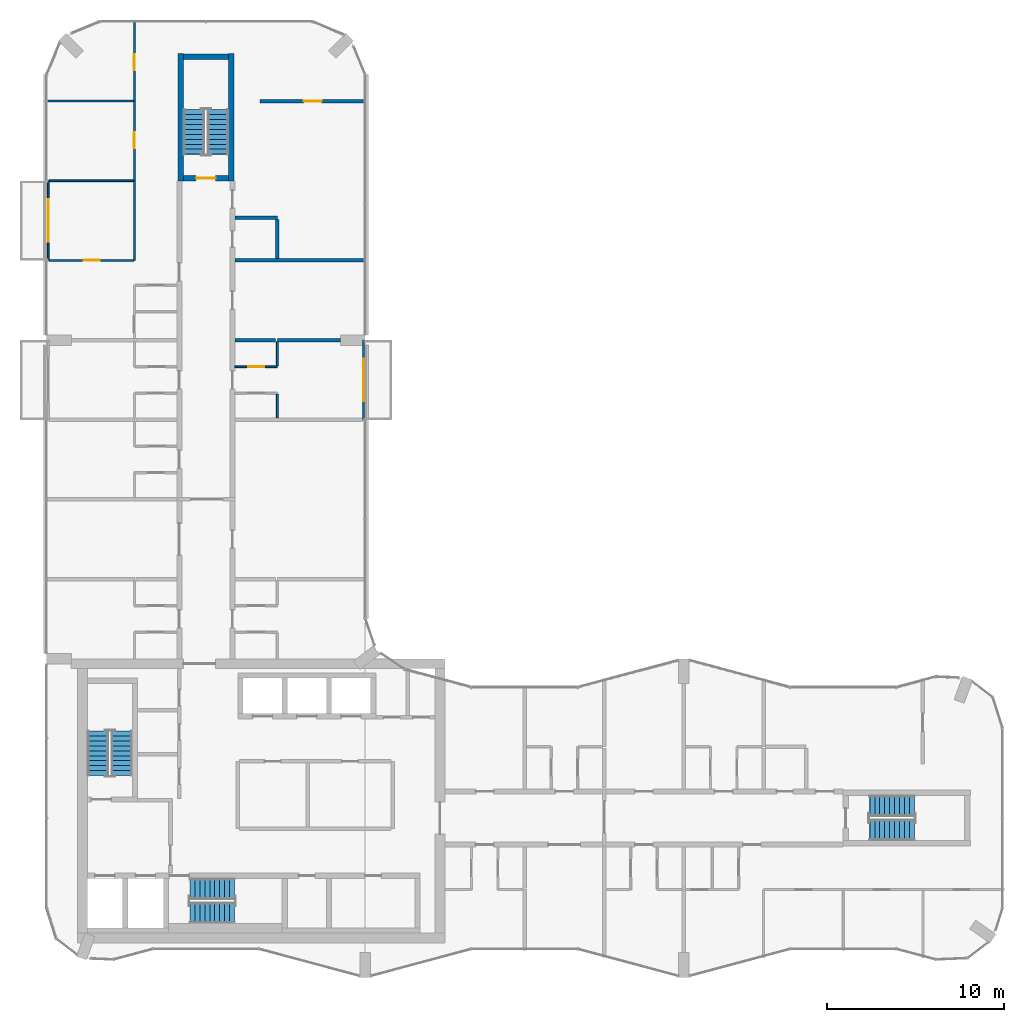
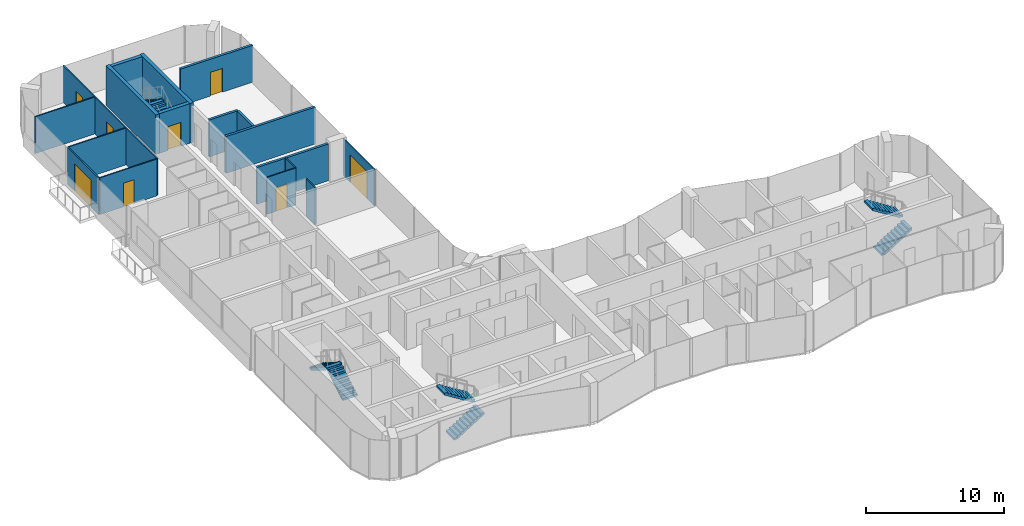
# One storey, part 13 of 15: 19 walls, 8 doors, 8 stair flights, 8 openings, 4 elements without a shape of their own.
"""IFC4 building model written with IfcOpenShell, lengths in metres."""

from ifc_helpers import new_model, si_unit, direction, frame, frame_2d, origin, place, context, subcontext, project, spatial, polyline, rectangle, outline, extrude, material, layer, layer_set, type_object, element, fill, aggregate, save


model = new_model("IFC4")

# Units and contexts
model_context = context("Model", 3, precision=1e-05, world=origin(), true_north=direction((0.0, 1.0)))
body_context = subcontext(model_context, "Body", "Model", "MODEL_VIEW")
ifc_project = project(units=[si_unit("LENGTHUNIT", "METRE"), si_unit("AREAUNIT", "SQUARE_METRE"), si_unit("VOLUMEUNIT", "CUBIC_METRE"), si_unit("PLANEANGLEUNIT", "RADIAN"), si_unit("MASSUNIT", "GRAM", prefix="KILO")], contexts=[model_context])

# Site, building, storey
site_placement = place(None, origin())
site = spatial("IfcSite", under=ifc_project, at=site_placement, CompositionType="ELEMENT")
building_placement = place(site_placement, origin())
building = spatial("IfcBuilding", under=site, at=building_placement, Name="Plateau Cross Towers", CompositionType="ELEMENT")
storey_placement = place(building_placement, frame((0.0, 0.0, 197.89990234375)))
storey = spatial("IfcBuildingStorey", under=building, at=storey_placement, Name="L51", CompositionType="ELEMENT", Elevation=197.89990234375)

# Wall, opening, door
ifc_material_1 = material(Name="Aluminium framed glazing", Category="aluminium")
ifc_layer_1 = layer(ifc_material_1, 0.10009765625)
ifc_layer_set_1 = layer_set([ifc_layer_1], Name="Aluminium framed glazing")
wall_type_1 = type_object("IfcWallType", Name="Balcony screen wall 100", PredefinedType="STANDARD", material=ifc_layer_set_1)
wall_1_placement = place(storey_placement, frame((0.10009765625, 40.5, 0.0), z_axis=(0.0, 0.0, 1.0), x_axis=(0.0, 1.0, 0.0)))
wall_1 = element("IfcWall", 1, at=wall_1_placement, inside=storey, type_object=wall_type_1, Name="Balcony screen wall A-BAL-L51-02", PredefinedType="STANDARD", context=body_context, shape_type="SweptSolid", body=[
    extrude(rectangle(XDim=4.5, YDim=0.10009765625, at=frame_2d((2.25, 0.0))), origin(), (0.0, 0.0, 1.0), 3.25),
])
opening_1_placement = place(wall_1_placement, frame((1.050048828125, 0.0, 0.0)))
opening_1 = element("IfcOpeningElement", 2, at=opening_1_placement, cuts=wall_1, Name="Opening D-B24", PredefinedType="OPENING", context=body_context, shape_type="SweptSolid", body=[
    extrude(rectangle(XDim=2.39990234375, YDim=2.39990234375, at=frame_2d((1.199951171875, 1.199951171875))), frame((0.0, 0.06005859375, 0.0), z_axis=(0.0, -1.0, 0.0), x_axis=(1.0, 0.0, 0.0)), (0.0, 0.0, 1.0), 0.1201171875),
])
ifc_material_2 = material(Name="Aluminium frame, double glazing", Category="aluminium")
door_type_1 = type_object("IfcDoorType", Name="Balcony sliding door 2400", OperationType="NOTDEFINED", PredefinedType="DOOR", material=ifc_material_2)
door_1_placement = place(opening_1_placement, origin())
door_1 = element("IfcDoor", 3, at=door_1_placement, inside=storey, type_object=door_type_1, Name="Balcony door A-BAL-L51-02", OperationType="SINGLE_SWING_LEFT", OverallHeight=2.39990234375, OverallWidth=2.39990234375, PredefinedType="DOOR", context=body_context, shape_type="SweptSolid", body=[
    extrude(rectangle(XDim=2.39990234375, YDim=2.39990234375, at=frame_2d((1.199951171875, 1.199951171875))), frame((0.0, 0.02490234375, 0.0), z_axis=(0.0, -1.0, 0.0), x_axis=(1.0, 0.0, 0.0)), (0.0, 0.0, 1.0), 0.050048828125),
])
fill(opening_1, door_1)

wall_2_placement = place(storey_placement, frame((17.89990234375, 36.0, 0.0), z_axis=(0.0, 0.0, 1.0), x_axis=(0.0, -1.0, 0.0)))
wall_2 = element("IfcWall", 4, at=wall_2_placement, inside=storey, type_object=wall_type_1, Name="Balcony screen wall A-BAL-L51-03", PredefinedType="STANDARD", context=body_context, shape_type="SweptSolid", body=[
    extrude(rectangle(XDim=4.5, YDim=0.10009765625, at=frame_2d((2.25, 0.0))), origin(), (0.0, 0.0, 1.0), 3.25),
])
opening_2_placement = place(wall_2_placement, frame((1.050048828125, 0.0, 0.0)))
opening_2 = element("IfcOpeningElement", 5, at=opening_2_placement, cuts=wall_2, Name="Opening D-B24", PredefinedType="OPENING", context=body_context, shape_type="SweptSolid", body=[
    extrude(rectangle(XDim=2.39990234375, YDim=2.39990234375, at=frame_2d((1.199951171875, 1.199951171875))), frame((0.0, 0.06005859375, 0.0), z_axis=(0.0, -1.0, 0.0), x_axis=(1.0, 0.0, 0.0)), (0.0, 0.0, 1.0), 0.1201171875),
])
door_2_placement = place(opening_2_placement, origin())
door_2 = element("IfcDoor", 6, at=door_2_placement, inside=storey, type_object=door_type_1, Name="Balcony door A-BAL-L51-03", OperationType="SINGLE_SWING_LEFT", OverallHeight=2.39990234375, OverallWidth=2.39990234375, PredefinedType="DOOR", context=body_context, shape_type="SweptSolid", body=[
    extrude(rectangle(XDim=2.39990234375, YDim=2.39990234375, at=frame_2d((1.199951171875, 1.199951171875))), frame((0.0, 0.02490234375, 0.0), z_axis=(0.0, -1.0, 0.0), x_axis=(1.0, 0.0, 0.0)), (0.0, 0.0, 1.0), 0.050048828125),
])
fill(opening_2, door_2)

ifc_material_3 = material(Name="Gypsum board on steel studs", Category="steel")
ifc_layer_2 = layer(ifc_material_3, 0.10009765625)
ifc_layer_set_2 = layer_set([ifc_layer_2], Name="Gypsum board on steel studs")
wall_type_2 = type_object("IfcWallType", Name="Flat partition 100", PredefinedType="PARTITIONING", material=ifc_layer_set_2)
wall_3_placement = place(storey_placement, frame((10.637451171875, 34.5, 0.0), z_axis=(0.0, 0.0, 1.0), x_axis=(1.0, 0.0, 0.0)))
wall_3 = element("IfcWall", 7, at=wall_3_placement, inside=storey, type_object=wall_type_2, Name="Partition wall", PredefinedType="PARTITIONING", context=body_context, shape_type="SweptSolid", body=[
    extrude(rectangle(XDim=2.400146484375, YDim=0.10009765625, at=frame_2d((1.2001953125, 0.0))), origin(), (0.0, 0.0, 1.0), 3.25),
])
opening_3_placement = place(wall_3_placement, frame((0.75, 0.0, 0.0)))
opening_3 = element("IfcOpeningElement", 8, at=opening_3_placement, cuts=wall_3, Name="Opening 51-53", PredefinedType="OPENING", context=body_context, shape_type="SweptSolid", body=[
    extrude(rectangle(XDim=0.89990234375, YDim=2.10009765625, at=frame_2d((0.449951171875, 1.050048828125))), frame((0.0, 0.06005859375, 0.0), z_axis=(0.0, -1.0, 0.0), x_axis=(1.0, 0.0, 0.0)), (0.0, 0.0, 1.0), 0.1201171875),
])
ifc_material_4 = material(Name="Timber leaf", Category="wood")
door_type_2 = type_object("IfcDoorType", Name="Flat room door 900", OperationType="NOTDEFINED", PredefinedType="DOOR", material=ifc_material_4)
door_3_placement = place(opening_3_placement, origin())
door_3 = element("IfcDoor", 9, at=door_3_placement, inside=storey, type_object=door_type_2, Name="Door 51-53", OperationType="SINGLE_SWING_LEFT", OverallHeight=2.10009765625, OverallWidth=0.89990234375, PredefinedType="DOOR", context=body_context, shape_type="SweptSolid", body=[
    extrude(rectangle(XDim=0.89990234375, YDim=2.10009765625, at=frame_2d((0.449951171875, 1.050048828125))), frame((0.0, 0.02490234375, 0.0), z_axis=(0.0, -1.0, 0.0), x_axis=(1.0, 0.0, 0.0)), (0.0, 0.0, 1.0), 0.050048828125),
])
fill(opening_3, door_3)

wall_4_placement = place(storey_placement, frame((0.14990234375, 40.5, 0.0), z_axis=(0.0, 0.0, 1.0), x_axis=(1.0, 0.0, 0.0)))
wall_4 = element("IfcWall", 10, at=wall_4_placement, inside=storey, type_object=wall_type_2, Name="Partition wall", PredefinedType="PARTITIONING", context=body_context, shape_type="SweptSolid", body=[
    extrude(rectangle(XDim=4.7626953125, YDim=0.10009765625, at=frame_2d((2.38134765625, 0.0))), origin(), (0.0, 0.0, 1.0), 3.25),
])
opening_4_placement = place(wall_4_placement, frame((1.949951171875, 0.0, 0.0)))
opening_4 = element("IfcOpeningElement", 11, at=opening_4_placement, cuts=wall_4, Name="Opening 51-47", PredefinedType="OPENING", context=body_context, shape_type="SweptSolid", body=[
    extrude(rectangle(XDim=0.89990234375, YDim=2.10009765625, at=frame_2d((0.449951171875, 1.050048828125))), frame((0.0, 0.06005859375, 0.0), z_axis=(0.0, -1.0, 0.0), x_axis=(1.0, 0.0, 0.0)), (0.0, 0.0, 1.0), 0.1201171875),
])
door_4_placement = place(opening_4_placement, origin())
door_4 = element("IfcDoor", 12, at=door_4_placement, inside=storey, type_object=door_type_2, Name="Door 51-47", OperationType="SINGLE_SWING_RIGHT", OverallHeight=2.10009765625, OverallWidth=0.89990234375, PredefinedType="DOOR", context=body_context, shape_type="SweptSolid", body=[
    extrude(rectangle(XDim=0.89990234375, YDim=2.10009765625, at=frame_2d((0.449951171875, 1.050048828125))), frame((0.0, 0.02490234375, 0.0), z_axis=(0.0, -1.0, 0.0), x_axis=(1.0, 0.0, 0.0)), (0.0, 0.0, 1.0), 0.050048828125),
])
fill(opening_4, door_4)

# Walls
wall_5_placement = place(storey_placement, frame((4.91259765625, 45.0, 0.0), z_axis=(0.0, 0.0, 1.0), x_axis=(-1.0, 0.0, 0.0)))
element("IfcWall", 13, at=wall_5_placement, inside=storey, type_object=wall_type_2, Name="Partition wall", PredefinedType="PARTITIONING", context=body_context, shape_type="SweptSolid", body=[
    extrude(rectangle(XDim=4.7626953125, YDim=0.10009765625, at=frame_2d((2.38134765625, 0.0))), origin(), (0.0, 0.0, 1.0), 3.25),
])
wall_6_placement = place(storey_placement, frame((4.91259765625, 49.5, 0.0), z_axis=(0.0, 0.0, 1.0), x_axis=(-1.0, 0.0, 0.0)))
element("IfcWall", 14, at=wall_6_placement, inside=storey, type_object=wall_type_2, Name="Partition wall", PredefinedType="PARTITIONING", context=body_context, shape_type="SweptSolid", body=[
    extrude(rectangle(XDim=4.99267578125, YDim=0.10009765625, at=frame_2d((2.496337890625, 0.0))), origin(), (0.0, 0.0, 1.0), 3.25),
])

# Wall, openings, doors
wall_7_placement = place(storey_placement, frame((4.96240234375, 40.5, 0.0), z_axis=(0.0, 0.0, 1.0), x_axis=(0.0, 1.0, 0.0)))
wall_7 = element("IfcWall", 15, at=wall_7_placement, inside=storey, type_object=wall_type_2, Name="Partition wall", PredefinedType="PARTITIONING", context=body_context, shape_type="SweptSolid", body=[
    extrude(rectangle(XDim=13.580078125, YDim=0.10009765625, at=frame_2d((6.7900390625, 0.0))), origin(), (0.0, 0.0, 1.0), 3.25),
])
opening_5_placement = place(wall_7_placement, frame((6.35009765625, 0.0, 0.0)))
opening_5 = element("IfcOpeningElement", 16, at=opening_5_placement, cuts=wall_7, Name="Opening 51-48", PredefinedType="OPENING", context=body_context, shape_type="SweptSolid", body=[
    extrude(rectangle(XDim=0.89990234375, YDim=2.10009765625, at=frame_2d((0.449951171875, 1.050048828125))), frame((0.0, 0.06005859375, 0.0), z_axis=(0.0, -1.0, 0.0), x_axis=(1.0, 0.0, 0.0)), (0.0, 0.0, 1.0), 0.1201171875),
])
opening_6_placement = place(wall_7_placement, frame((10.75, 0.0, 0.0)))
opening_6 = element("IfcOpeningElement", 17, at=opening_6_placement, cuts=wall_7, Name="Opening 51-49", PredefinedType="OPENING", context=body_context, shape_type="SweptSolid", body=[
    extrude(rectangle(XDim=0.89990234375, YDim=2.10009765625, at=frame_2d((0.449951171875, 1.050048828125))), frame((0.0, 0.06005859375, 0.0), z_axis=(0.0, -1.0, 0.0), x_axis=(1.0, 0.0, 0.0)), (0.0, 0.0, 1.0), 0.1201171875),
])
door_5_placement = place(opening_5_placement, origin())
door_5 = element("IfcDoor", 18, at=door_5_placement, inside=storey, type_object=door_type_2, Name="Door 51-48", OperationType="SINGLE_SWING_RIGHT", OverallHeight=2.10009765625, OverallWidth=0.89990234375, PredefinedType="DOOR", context=body_context, shape_type="SweptSolid", body=[
    extrude(rectangle(XDim=0.89990234375, YDim=2.10009765625, at=frame_2d((0.449951171875, 1.050048828125))), frame((0.0, 0.02490234375, 0.0), z_axis=(0.0, -1.0, 0.0), x_axis=(1.0, 0.0, 0.0)), (0.0, 0.0, 1.0), 0.050048828125),
])
fill(opening_5, door_5)
door_6_placement = place(opening_6_placement, origin())
door_6 = element("IfcDoor", 19, at=door_6_placement, inside=storey, type_object=door_type_2, Name="Door 51-49", OperationType="SINGLE_SWING_RIGHT", OverallHeight=2.10009765625, OverallWidth=0.89990234375, PredefinedType="DOOR", context=body_context, shape_type="SweptSolid", body=[
    extrude(rectangle(XDim=0.89990234375, YDim=2.10009765625, at=frame_2d((0.449951171875, 1.050048828125))), frame((0.0, 0.02490234375, 0.0), z_axis=(0.0, -1.0, 0.0), x_axis=(1.0, 0.0, 0.0)), (0.0, 0.0, 1.0), 0.050048828125),
])
fill(opening_6, door_6)

# Walls
for number, where, z_axis, x_axis, name in (
    (20, (13.03759765625, 31.60009765625, 0.0), (0.0, 0.0, 1.0), (0.0, 1.0, 0.0), "Partition wall"),
    (21, (13.03759765625, 34.550048828125, 0.0), (0.0, 0.0, 1.0), (0.0, 1.0, 0.0), "Partition wall"),
):
    element("IfcWall", number, at=place(storey_placement, frame(where, z_axis=z_axis, x_axis=x_axis)), inside=storey, type_object=wall_type_2, Name=name, PredefinedType="PARTITIONING", context=body_context, shape_type="SweptSolid", body=[
        extrude(rectangle(XDim=1.349853515625, YDim=0.10009765625, at=frame_2d((0.6748046875, 0.0))), origin(), (0.0, 0.0, 1.0), 3.25),
    ])
ifc_material_5 = material(Name="Gypsum board on steel studs, two layers each side", Category="steel")
ifc_layer_3 = layer(ifc_material_5, 0.199951171875)
ifc_layer_set_3 = layer_set([ifc_layer_3], Name="Gypsum board on steel studs, two layers each side")
wall_type_3 = type_object("IfcWallType", Name="Flat party wall 200", PredefinedType="PARTITIONING", material=ifc_layer_set_3)
wall_8_placement = place(storey_placement, frame((12.9375, 36.0, 0.0), z_axis=(0.0, 0.0, 1.0), x_axis=(-1.0, 0.0, 0.0)))
element("IfcWall", 22, at=wall_8_placement, inside=storey, type_object=wall_type_3, Name="Party wall", PredefinedType="PARTITIONING", context=body_context, shape_type="SweptSolid", body=[
    extrude(rectangle(XDim=2.300048828125, YDim=0.199951171875, at=frame_2d((1.14990234375, 0.0))), origin(), (0.0, 0.0, 1.0), 3.25),
])
wall_9_placement = place(storey_placement, frame((13.03759765625, 36.0, 0.0), z_axis=(0.0, 0.0, 1.0), x_axis=(1.0, 0.0, 0.0)))
element("IfcWall", 23, at=wall_9_placement, inside=storey, type_object=wall_type_3, Name="Party wall", PredefinedType="PARTITIONING", context=body_context, shape_type="SweptSolid", body=[
    extrude(rectangle(XDim=3.5625, YDim=0.199951171875, at=frame_2d((1.78125, 0.0))), origin(), (0.0, 0.0, 1.0), 3.25),
])
wall_10_placement = place(storey_placement, frame((18.080078125, 40.5, 0.0), z_axis=(0.0, 0.0, 1.0), x_axis=(-1.0, 0.0, 0.0)))
element("IfcWall", 24, at=wall_10_placement, inside=storey, type_object=wall_type_3, Name="Party wall", PredefinedType="PARTITIONING", context=body_context, shape_type="SweptSolid", body=[
    extrude(rectangle(XDim=7.442626953125, YDim=0.199951171875, at=frame_2d((3.72119140625, 0.0))), origin(), (0.0, 0.0, 1.0), 3.25),
])
wall_11_placement = place(storey_placement, frame((13.03759765625, 42.89990234375, 0.0), z_axis=(0.0, 0.0, 1.0), x_axis=(-1.0, 0.0, 0.0)))
element("IfcWall", 25, at=wall_11_placement, inside=storey, type_object=wall_type_3, Name="Party wall", PredefinedType="PARTITIONING", context=body_context, shape_type="SweptSolid", body=[
    extrude(rectangle(XDim=2.400146484375, YDim=0.199951171875, at=frame_2d((1.2001953125, 0.0))), origin(), (0.0, 0.0, 1.0), 3.25),
])

# Wall, opening, door
wall_12_placement = place(storey_placement, frame((18.080078125, 49.5, 0.0), z_axis=(0.0, 0.0, 1.0), x_axis=(-1.0, 0.0, 0.0)))
wall_12 = element("IfcWall", 26, at=wall_12_placement, inside=storey, type_object=wall_type_3, Name="Party wall", PredefinedType="PARTITIONING", context=body_context, shape_type="SweptSolid", body=[
    extrude(rectangle(XDim=6.030029296875, YDim=0.199951171875, at=frame_2d((3.01513671875, 0.0))), origin(), (0.0, 0.0, 1.0), 3.25),
])
opening_7_placement = place(wall_12_placement, frame((2.550048828125, 0.0, 0.0)))
opening_7 = element("IfcOpeningElement", 27, at=opening_7_placement, cuts=wall_12, Name="Opening 51-25", PredefinedType="OPENING", context=body_context, shape_type="SweptSolid", body=[
    extrude(rectangle(XDim=1.0, YDim=2.10009765625, at=frame_2d((0.5, 1.050048828125))), frame((0.0, 0.10986328125, 0.0), z_axis=(0.0, -1.0, 0.0), x_axis=(1.0, 0.0, 0.0)), (0.0, 0.0, 1.0), 0.219970703125),
])
ifc_material_6 = material(Name="Timber, fire-resisting leaf", Category="wood")
door_type_3 = type_object("IfcDoorType", Name="Flat entrance door 1000", OperationType="NOTDEFINED", PredefinedType="DOOR", material=ifc_material_6)
door_7_placement = place(opening_7_placement, origin())
door_7 = element("IfcDoor", 28, at=door_7_placement, inside=storey, type_object=door_type_3, Name="Door 51-25", OperationType="SINGLE_SWING_RIGHT", OverallHeight=2.10009765625, OverallWidth=1.0, PredefinedType="DOOR", context=body_context, shape_type="SweptSolid", body=[
    extrude(rectangle(XDim=1.0, YDim=2.10009765625, at=frame_2d((0.5, 1.050048828125))), frame((0.0, 0.02490234375, 0.0), z_axis=(0.0, -1.0, 0.0), x_axis=(1.0, 0.0, 0.0)), (0.0, 0.0, 1.0), 0.050048828125),
])
fill(opening_7, door_7)

# Wall
wall_13_placement = place(storey_placement, frame((13.03759765625, 40.60009765625, 0.0), z_axis=(0.0, 0.0, 1.0), x_axis=(0.0, 1.0, 0.0)))
element("IfcWall", 29, at=wall_13_placement, inside=storey, type_object=wall_type_3, Name="Party wall", PredefinedType="PARTITIONING", context=body_context, shape_type="SweptSolid", body=[
    extrude(rectangle(XDim=2.199951171875, YDim=0.199951171875, at=frame_2d((1.10009765625, 0.0))), origin(), (0.0, 0.0, 1.0), 3.25),
])

# Wall, opening, door
ifc_material_7 = material(Name="Concrete C60/75", Category="concrete")
ifc_layer_4 = layer(ifc_material_7, 0.300048828125)
ifc_layer_set_4 = layer_set([ifc_layer_4], Name="Concrete C60/75")
wall_type_4 = type_object("IfcWallType", Name="Stair tower wall 300", PredefinedType="SHEAR", material=ifc_layer_set_4)
wall_14_placement = place(storey_placement, frame((7.72509765625, 45.14990234375, 0.0), z_axis=(0.0, 0.0, 1.0), x_axis=(1.0, 0.0, 0.0)))
wall_14 = element("IfcWall", 30, at=wall_14_placement, inside=storey, type_object=wall_type_4, Name="A-end-N-S@L51", PredefinedType="SHEAR", context=body_context, shape_type="SweptSolid", body=[
    extrude(rectangle(XDim=2.5498046875, YDim=0.300048828125, at=frame_2d((1.27490234375, 0.0))), origin(), (0.0, 0.0, 1.0), 3.5),
])
opening_8_placement = place(wall_14_placement, frame((0.72509765625, 0.0, 0.0)))
opening_8 = element("IfcOpeningElement", 31, at=opening_8_placement, cuts=wall_14, Name="Opening SD", PredefinedType="OPENING", context=body_context, shape_type="SweptSolid", body=[
    extrude(rectangle(XDim=1.10009765625, YDim=2.10009765625, at=frame_2d((0.550048828125, 1.050048828125))), frame((0.0, 0.159912109375, 0.0), z_axis=(0.0, -1.0, 0.0), x_axis=(1.0, 0.0, 0.0)), (0.0, 0.0, 1.0), 0.320068359375),
])
ifc_material_8 = material(Name="Steel, fire-resisting leaf", Category="steel")
door_type_4 = type_object("IfcDoorType", Name="Stair door 1100", OperationType="NOTDEFINED", PredefinedType="DOOR", material=ifc_material_8)
door_8_placement = place(opening_8_placement, origin())
door_8 = element("IfcDoor", 32, at=door_8_placement, inside=storey, type_object=door_type_4, Name="Stair door SD", OperationType="SINGLE_SWING_LEFT", OverallHeight=2.10009765625, OverallWidth=1.10009765625, PredefinedType="DOOR", context=body_context, shape_type="SweptSolid", body=[
    extrude(rectangle(XDim=1.10009765625, YDim=2.10009765625, at=frame_2d((0.550048828125, 1.050048828125))), frame((0.0, 0.02490234375, 0.0), z_axis=(0.0, -1.0, 0.0), x_axis=(1.0, 0.0, 0.0)), (0.0, 0.0, 1.0), 0.050048828125),
])
fill(opening_8, door_8)

# Walls
wall_15_placement = place(storey_placement, frame((7.72509765625, 52.0, 0.0), z_axis=(0.0, 0.0, 1.0), x_axis=(1.0, 0.0, 0.0)))
element("IfcWall", 33, at=wall_15_placement, inside=storey, type_object=wall_type_4, Name="A-end-N-N@L51", PredefinedType="SHEAR", context=body_context, shape_type="SweptSolid", body=[
    extrude(rectangle(XDim=2.5498046875, YDim=0.300048828125, at=frame_2d((1.27490234375, 0.0))), origin(), (0.0, 0.0, 1.0), 3.5),
])
for number, where, z_axis, x_axis, name in (
    (34, (7.574951171875, 45.0, 0.0), (0.0, 0.0, 1.0), (0.0, 1.0, 0.0), "A-end-N-W@L51"),
    (35, (10.425048828125, 45.0, 0.0), (0.0, 0.0, 1.0), (0.0, 1.0, 0.0), "A-end-N-E@L51"),
):
    element("IfcWall", number, at=place(storey_placement, frame(where, z_axis=z_axis, x_axis=x_axis)), inside=storey, type_object=wall_type_4, Name=name, PredefinedType="SHEAR", context=body_context, shape_type="SweptSolid", body=[
        extrude(rectangle(XDim=7.199951171875, YDim=0.300048828125, at=frame_2d((3.60009765625, 0.0))), origin(), (0.0, 0.0, 1.0), 3.5),
    ])

# Stair, stair flights
ifc_material_9 = material(Name="Concrete C40/50", Category="concrete")
stair_type = type_object("IfcStairType", Name="ST-TWR", PredefinedType="HALF_TURN_STAIR", material=ifc_material_9)
stair_1_placement = place(storey_placement, origin())
stair_1 = element("IfcStair", 36, at=stair_1_placement, inside=storey, type_object=stair_type, Name="L51 Protected Exit Stair ST-1", PredefinedType="HALF_TURN_STAIR")
stair_flight_type = type_object("IfcStairFlightType", Name="SFL-RC", PredefinedType="STRAIGHT", material=ifc_material_9)
stair_flight_1_placement = place(storey_placement, frame((4.25, 11.39990234375, 0.0), z_axis=(0.0, 0.0, 1.0), x_axis=(0.0, 1.0, 0.0)))
stair_flight_1 = element("IfcStairFlight", 37, at=stair_flight_1_placement, type_object=stair_flight_type, Name="ST-1 flight 1", NumberOfRisers=10, NumberOfTreads=9, PredefinedType="STRAIGHT", RiserHeight=0.175, TreadLength=0.28, context=body_context, shape_type="SweptSolid", body=[
    extrude(outline(polyline([(-0.0048828125, -0.010009765625), (-0.0048828125, 0.0), (0.0, 0.0), (0.0, 0.175048828125), (0.280029296875, 0.175048828125), (0.280029296875, 0.35009765625), (0.56005859375, 0.35009765625), (0.56005859375, 0.52490234375), (0.840087890625, 0.52490234375), (0.840087890625, 0.699951171875), (1.1201171875, 0.699951171875), (1.1201171875, 0.875), (1.39990234375, 0.875), (1.39990234375, 1.050048828125), (1.679931640625, 1.050048828125), (1.679931640625, 1.22509765625), (1.9599609375, 1.22509765625), (1.9599609375, 1.39990234375), (2.239990234375, 1.39990234375), (2.239990234375, 1.574951171875), (2.52001953125, 1.574951171875), (2.52490234375, 1.56494140625), (2.52490234375, 1.398193359375), (2.52001953125, 1.398193359375), (0.28271484375, 0.0), (0.02001953125, 0.0), (0.02001953125, -0.010009765625), (-0.0048828125, -0.010009765625)])), frame((0.0, 0.60009765625, 0.0), z_axis=(0.0, -1.0, 0.0), x_axis=(1.0, 0.0, 0.0)), (0.0, 0.0, 1.0), 1.199951171875),
])
stair_flight_2_placement = place(storey_placement, frame((2.89990234375, 13.919921875, 1.75), z_axis=(0.0, 0.0, 1.0), x_axis=(0.0, -1.0, 0.0)))
stair_flight_2 = element("IfcStairFlight", 38, at=stair_flight_2_placement, type_object=stair_flight_type, Name="ST-1 flight 2", NumberOfRisers=10, NumberOfTreads=9, PredefinedType="STRAIGHT", RiserHeight=0.175, TreadLength=0.28, context=body_context, shape_type="SweptSolid", body=[
    extrude(outline(polyline([(-0.0048828125, -0.010009765625), (-0.0048828125, 0.0), (0.0, 0.0), (0.0, 0.175048828125), (0.280029296875, 0.175048828125), (0.280029296875, 0.35009765625), (0.56005859375, 0.35009765625), (0.56005859375, 0.52490234375), (0.840087890625, 0.52490234375), (0.840087890625, 0.699951171875), (1.1201171875, 0.699951171875), (1.1201171875, 0.875), (1.39990234375, 0.875), (1.39990234375, 1.050048828125), (1.679931640625, 1.050048828125), (1.679931640625, 1.22509765625), (1.9599609375, 1.22509765625), (1.9599609375, 1.39990234375), (2.239990234375, 1.39990234375), (2.239990234375, 1.574951171875), (2.52001953125, 1.574951171875), (2.52490234375, 1.56494140625), (2.52490234375, 1.398193359375), (2.52001953125, 1.398193359375), (0.28271484375, 0.0), (0.02001953125, 0.0), (0.02001953125, -0.010009765625), (-0.0048828125, -0.010009765625)])), frame((0.0, 0.60009765625, 0.0), z_axis=(0.0, -1.0, 0.0), x_axis=(1.0, 0.0, 0.0)), (0.0, 0.0, 1.0), 1.199951171875),
])
aggregate(stair_1, [stair_flight_1, stair_flight_2])

stair_2_placement = place(storey_placement, origin())
stair_2 = element("IfcStair", 39, at=stair_2_placement, inside=storey, type_object=stair_type, Name="L51 Protected Exit Stair ST-2", PredefinedType="HALF_TURN_STAIR")
stair_flight_3_placement = place(storey_placement, frame((8.10009765625, 3.64990234375, 0.0), z_axis=(0.0, 0.0, 1.0), x_axis=(1.0, 0.0, 0.0)))
stair_flight_3 = element("IfcStairFlight", 40, at=stair_flight_3_placement, type_object=stair_flight_type, Name="ST-2 flight 1", NumberOfRisers=10, NumberOfTreads=9, PredefinedType="STRAIGHT", RiserHeight=0.175, TreadLength=0.28, context=body_context, shape_type="SweptSolid", body=[
    extrude(outline(polyline([(-0.0048828125, -0.010009765625), (-0.0048828125, 0.0), (0.0, 0.0), (0.0, 0.175048828125), (0.280029296875, 0.175048828125), (0.280029296875, 0.35009765625), (0.56005859375, 0.35009765625), (0.56005859375, 0.52490234375), (0.840087890625, 0.52490234375), (0.840087890625, 0.699951171875), (1.1201171875, 0.699951171875), (1.1201171875, 0.875), (1.39990234375, 0.875), (1.39990234375, 1.050048828125), (1.679931640625, 1.050048828125), (1.679931640625, 1.22509765625), (1.9599609375, 1.22509765625), (1.9599609375, 1.39990234375), (2.239990234375, 1.39990234375), (2.239990234375, 1.574951171875), (2.52001953125, 1.574951171875), (2.52490234375, 1.56494140625), (2.52490234375, 1.398193359375), (2.52001953125, 1.398193359375), (0.28271484375, 0.0), (0.02001953125, 0.0), (0.02001953125, -0.010009765625), (-0.0048828125, -0.010009765625)])), frame((0.0, 0.60009765625, 0.0), z_axis=(0.0, -1.0, 0.0), x_axis=(1.0, 0.0, 0.0)), (0.0, 0.0, 1.0), 1.199951171875),
])
stair_flight_4_placement = place(storey_placement, frame((10.6201171875, 5.0, 1.75), z_axis=(0.0, 0.0, 1.0), x_axis=(-1.0, 0.0, 0.0)))
stair_flight_4 = element("IfcStairFlight", 41, at=stair_flight_4_placement, type_object=stair_flight_type, Name="ST-2 flight 2", NumberOfRisers=10, NumberOfTreads=9, PredefinedType="STRAIGHT", RiserHeight=0.175, TreadLength=0.28, context=body_context, shape_type="SweptSolid", body=[
    extrude(outline(polyline([(-0.0048828125, -0.010009765625), (-0.0048828125, 0.0), (0.0, 0.0), (0.0, 0.175048828125), (0.280029296875, 0.175048828125), (0.280029296875, 0.35009765625), (0.56005859375, 0.35009765625), (0.56005859375, 0.52490234375), (0.840087890625, 0.52490234375), (0.840087890625, 0.699951171875), (1.1201171875, 0.699951171875), (1.1201171875, 0.875), (1.39990234375, 0.875), (1.39990234375, 1.050048828125), (1.679931640625, 1.050048828125), (1.679931640625, 1.22509765625), (1.9599609375, 1.22509765625), (1.9599609375, 1.39990234375), (2.239990234375, 1.39990234375), (2.239990234375, 1.574951171875), (2.52001953125, 1.574951171875), (2.52490234375, 1.56494140625), (2.52490234375, 1.398193359375), (2.52001953125, 1.398193359375), (0.28271484375, 0.0), (0.02001953125, 0.0), (0.02001953125, -0.010009765625), (-0.0048828125, -0.010009765625)])), frame((0.0, 0.60009765625, 0.0), z_axis=(0.0, -1.0, 0.0), x_axis=(1.0, 0.0, 0.0)), (0.0, 0.0, 1.0), 1.199951171875),
])
aggregate(stair_2, [stair_flight_3, stair_flight_4])

stair_3_placement = place(storey_placement, origin())
stair_3 = element("IfcStair", 42, at=stair_3_placement, inside=storey, type_object=stair_type, Name="L51 Protected Exit Stair E", PredefinedType="HALF_TURN_STAIR")
stair_flight_5_placement = place(storey_placement, frame((46.5, 8.324951171875, 0.0), z_axis=(0.0, 0.0, 1.0), x_axis=(1.0, 0.0, 0.0)))
stair_flight_5 = element("IfcStairFlight", 43, at=stair_flight_5_placement, type_object=stair_flight_type, Name="ES-E flight 1", NumberOfRisers=10, NumberOfTreads=9, PredefinedType="STRAIGHT", RiserHeight=0.175, TreadLength=0.28, context=body_context, shape_type="SweptSolid", body=[
    extrude(outline(polyline([(-0.0048828125, -0.010009765625), (-0.0048828125, 0.0), (0.0, 0.0), (0.0, 0.175048828125), (0.280029296875, 0.175048828125), (0.280029296875, 0.35009765625), (0.56005859375, 0.35009765625), (0.56005859375, 0.52490234375), (0.840087890625, 0.52490234375), (0.840087890625, 0.699951171875), (1.1201171875, 0.699951171875), (1.1201171875, 0.875), (1.39990234375, 0.875), (1.39990234375, 1.050048828125), (1.679931640625, 1.050048828125), (1.679931640625, 1.22509765625), (1.9599609375, 1.22509765625), (1.9599609375, 1.39990234375), (2.239990234375, 1.39990234375), (2.239990234375, 1.574951171875), (2.52001953125, 1.574951171875), (2.52490234375, 1.56494140625), (2.52490234375, 1.398193359375), (2.52001953125, 1.398193359375), (0.28271484375, 0.0), (0.02001953125, 0.0), (0.02001953125, -0.010009765625), (-0.0048828125, -0.010009765625)])), frame((0.0, 0.60009765625, 0.0), z_axis=(0.0, -1.0, 0.0), x_axis=(1.0, 0.0, 0.0)), (0.0, 0.0, 1.0), 1.199951171875),
])
stair_flight_6_placement = place(storey_placement, frame((49.02001953125, 9.675048828125, 1.75), z_axis=(0.0, 0.0, 1.0), x_axis=(-1.0, 0.0, 0.0)))
stair_flight_6 = element("IfcStairFlight", 44, at=stair_flight_6_placement, type_object=stair_flight_type, Name="ES-E flight 2", NumberOfRisers=10, NumberOfTreads=9, PredefinedType="STRAIGHT", RiserHeight=0.175, TreadLength=0.28, context=body_context, shape_type="SweptSolid", body=[
    extrude(outline(polyline([(-0.0048828125, -0.010009765625), (-0.0048828125, 0.0), (0.0, 0.0), (0.0, 0.175048828125), (0.280029296875, 0.175048828125), (0.280029296875, 0.35009765625), (0.56005859375, 0.35009765625), (0.56005859375, 0.52490234375), (0.840087890625, 0.52490234375), (0.840087890625, 0.699951171875), (1.1201171875, 0.699951171875), (1.1201171875, 0.875), (1.39990234375, 0.875), (1.39990234375, 1.050048828125), (1.679931640625, 1.050048828125), (1.679931640625, 1.22509765625), (1.9599609375, 1.22509765625), (1.9599609375, 1.39990234375), (2.239990234375, 1.39990234375), (2.239990234375, 1.574951171875), (2.52001953125, 1.574951171875), (2.52490234375, 1.56494140625), (2.52490234375, 1.398193359375), (2.52001953125, 1.398193359375), (0.28271484375, 0.0), (0.02001953125, 0.0), (0.02001953125, -0.010009765625), (-0.0048828125, -0.010009765625)])), frame((0.0, 0.60009765625, 0.0), z_axis=(0.0, -1.0, 0.0), x_axis=(1.0, 0.0, 0.0)), (0.0, 0.0, 1.0), 1.199951171875),
])
aggregate(stair_3, [stair_flight_5, stair_flight_6])

stair_4_placement = place(storey_placement, origin())
stair_4 = element("IfcStair", 45, at=stair_4_placement, inside=storey, type_object=stair_type, Name="L51 Protected Exit Stair N", PredefinedType="HALF_TURN_STAIR")
stair_flight_7_placement = place(storey_placement, frame((9.675048828125, 46.5, 0.0), z_axis=(0.0, 0.0, 1.0), x_axis=(0.0, 1.0, 0.0)))
stair_flight_7 = element("IfcStairFlight", 46, at=stair_flight_7_placement, type_object=stair_flight_type, Name="ES-N flight 1", NumberOfRisers=10, NumberOfTreads=9, PredefinedType="STRAIGHT", RiserHeight=0.175, TreadLength=0.28, context=body_context, shape_type="SweptSolid", body=[
    extrude(outline(polyline([(-0.0048828125, -0.010009765625), (-0.0048828125, 0.0), (0.0, 0.0), (0.0, 0.175048828125), (0.280029296875, 0.175048828125), (0.280029296875, 0.35009765625), (0.56005859375, 0.35009765625), (0.56005859375, 0.52490234375), (0.840087890625, 0.52490234375), (0.840087890625, 0.699951171875), (1.1201171875, 0.699951171875), (1.1201171875, 0.875), (1.39990234375, 0.875), (1.39990234375, 1.050048828125), (1.679931640625, 1.050048828125), (1.679931640625, 1.22509765625), (1.9599609375, 1.22509765625), (1.9599609375, 1.39990234375), (2.239990234375, 1.39990234375), (2.239990234375, 1.574951171875), (2.52001953125, 1.574951171875), (2.52490234375, 1.56494140625), (2.52490234375, 1.398193359375), (2.52001953125, 1.398193359375), (0.28271484375, 0.0), (0.02001953125, 0.0), (0.02001953125, -0.010009765625), (-0.0048828125, -0.010009765625)])), frame((0.0, 0.60009765625, 0.0), z_axis=(0.0, -1.0, 0.0), x_axis=(1.0, 0.0, 0.0)), (0.0, 0.0, 1.0), 1.199951171875),
])
stair_flight_8_placement = place(storey_placement, frame((8.324951171875, 49.02001953125, 1.75), z_axis=(0.0, 0.0, 1.0), x_axis=(0.0, -1.0, 0.0)))
stair_flight_8 = element("IfcStairFlight", 47, at=stair_flight_8_placement, type_object=stair_flight_type, Name="ES-N flight 2", NumberOfRisers=10, NumberOfTreads=9, PredefinedType="STRAIGHT", RiserHeight=0.175, TreadLength=0.28, context=body_context, shape_type="SweptSolid", body=[
    extrude(outline(polyline([(-0.0048828125, -0.010009765625), (-0.0048828125, 0.0), (0.0, 0.0), (0.0, 0.175048828125), (0.280029296875, 0.175048828125), (0.280029296875, 0.35009765625), (0.56005859375, 0.35009765625), (0.56005859375, 0.52490234375), (0.840087890625, 0.52490234375), (0.840087890625, 0.699951171875), (1.1201171875, 0.699951171875), (1.1201171875, 0.875), (1.39990234375, 0.875), (1.39990234375, 1.050048828125), (1.679931640625, 1.050048828125), (1.679931640625, 1.22509765625), (1.9599609375, 1.22509765625), (1.9599609375, 1.39990234375), (2.239990234375, 1.39990234375), (2.239990234375, 1.574951171875), (2.52001953125, 1.574951171875), (2.52490234375, 1.56494140625), (2.52490234375, 1.398193359375), (2.52001953125, 1.398193359375), (0.28271484375, 0.0), (0.02001953125, 0.0), (0.02001953125, -0.010009765625), (-0.0048828125, -0.010009765625)])), frame((0.0, 0.60009765625, 0.0), z_axis=(0.0, -1.0, 0.0), x_axis=(1.0, 0.0, 0.0)), (0.0, 0.0, 1.0), 1.199951171875),
])
aggregate(stair_4, [stair_flight_7, stair_flight_8])

save(model, "model.ifc")
